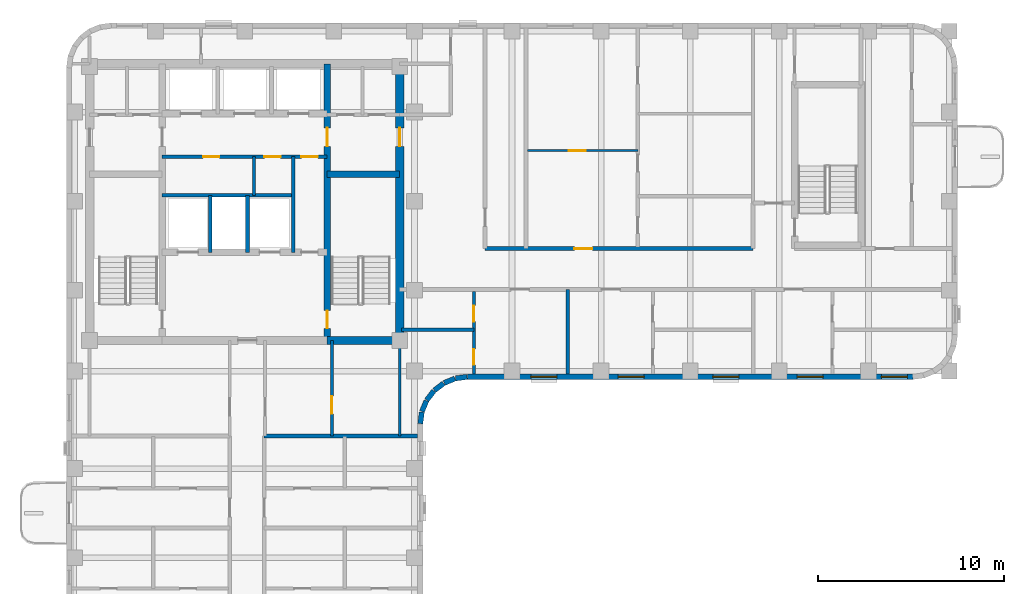
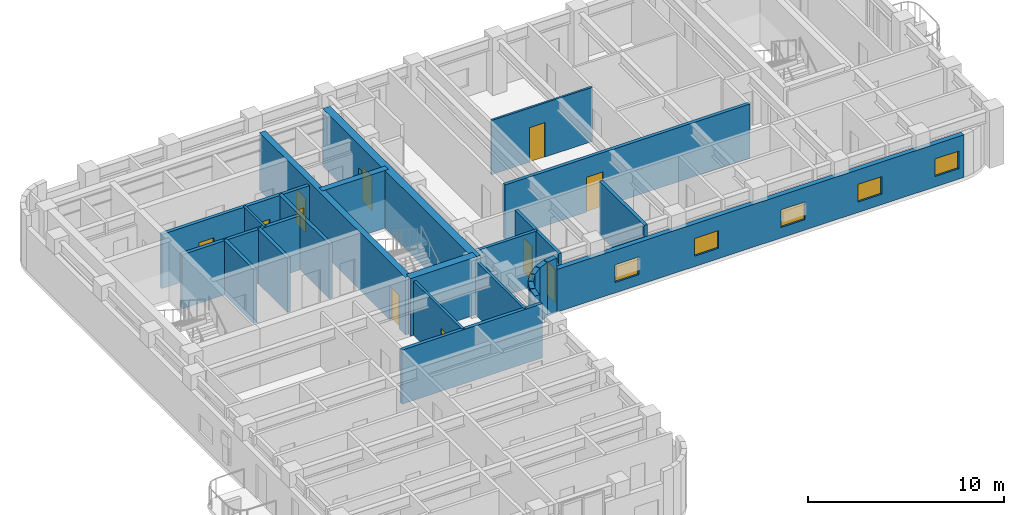
# One storey, part 6 of 12: 25 walls, 11 doors, 5 windows, 16 openings.
"""IFC4 building model written with IfcOpenShell, lengths in metres."""

from ifc_helpers import new_model, si_unit, direction, frame, frame_2d, origin, place, context, subcontext, project, spatial, rectangle, extrude, material, layer, layer_set, type_object, element, fill, save


model = new_model("IFC4")

# Units and contexts
model_context = context("Model", 3, precision=1e-05, world=origin(), true_north=direction((0.0, 1.0)))
body_context = subcontext(model_context, "Body", "Model", "MODEL_VIEW")
ifc_project = project(units=[si_unit("LENGTHUNIT", "METRE"), si_unit("AREAUNIT", "SQUARE_METRE"), si_unit("VOLUMEUNIT", "CUBIC_METRE"), si_unit("PLANEANGLEUNIT", "RADIAN"), si_unit("MASSUNIT", "GRAM", prefix="KILO")], contexts=[model_context])

# Site, building, storey
site_placement = place(None, origin())
site = spatial("IfcSite", under=ifc_project, at=site_placement, CompositionType="ELEMENT")
building_placement = place(site_placement, origin())
building = spatial("IfcBuilding", under=site, at=building_placement, Name="Orvandelia Arch Residences", CompositionType="ELEMENT")
storey_placement = place(building_placement, frame((0.0, 0.0, 214.60009765625)))
storey = spatial("IfcBuildingStorey", under=building, at=storey_placement, Name="L56", CompositionType="ELEMENT", Elevation=214.60009765625)

# Wall, openings, doors
ifc_material_1 = material(Name="Concrete C50/60", Category="concrete")
ifc_layer_1 = layer(ifc_material_1, 0.35009765625, Name="Concrete C50/60", Category="concrete")
ifc_layer_set_1 = layer_set([ifc_layer_1], Name="Concrete C50/60")
wall_type_1 = type_object("IfcWallType", Name="WL-CORE-350", PredefinedType="SHEAR", material=ifc_layer_set_1)
wall_1_placement = place(storey_placement, frame((18.840087890625, 30.89990234375, 0.0), z_axis=(0.0, 0.0, 1.0), x_axis=(0.0, 1.0, 0.0)))
wall_1 = element("IfcWall", 1, at=wall_1_placement, inside=storey, type_object=wall_type_1, Name="Core Shear Wall L56-WEB2", PredefinedType="SHEAR", context=body_context, shape_type="SweptSolid", body=[
    extrude(rectangle(XDim=14.900146484375, YDim=0.35009765625, at=frame_2d((7.4501953125, 0.0))), origin(), (0.0, 0.0, 1.0), 3.599853515625),
])
opening_1_placement = place(wall_1_placement, frame((0.64990234375, 0.0, 0.0)))
opening_1 = element("IfcOpeningElement", 2, at=opening_1_placement, cuts=wall_1, Name="Opening D7", PredefinedType="OPENING", context=body_context, shape_type="SweptSolid", body=[
    extrude(rectangle(XDim=0.949951171875, YDim=2.10009765625, at=frame_2d((0.47509765625, 1.050048828125))), frame((0.0, 0.18505859375, 0.0), z_axis=(0.0, -1.0, 0.0), x_axis=(1.0, 0.0, 0.0)), (0.0, 0.0, 1.0), 0.3701171875),
])
opening_2_placement = place(wall_1_placement, frame((10.449951171875, 0.0, 0.0)))
opening_2 = element("IfcOpeningElement", 3, at=opening_2_placement, cuts=wall_1, Name="Opening D6", PredefinedType="OPENING", context=body_context, shape_type="SweptSolid", body=[
    extrude(rectangle(XDim=1.0, YDim=2.14990234375, at=frame_2d((0.5, 1.074951171875))), frame((0.0, 0.18505859375, 0.0), z_axis=(0.0, -1.0, 0.0), x_axis=(1.0, 0.0, 0.0)), (0.0, 0.0, 1.0), 0.3701171875),
])
ifc_material_2 = material(Name="Smokeproof Painted Steel Fire Door", Category="steel")
door_type_1 = type_object("IfcDoorType", Name="DR-FD60-1000", OperationType="NOTDEFINED", PredefinedType="DOOR", material=ifc_material_2)
door_1_placement = place(opening_2_placement, origin())
door_1 = element("IfcDoor", 4, at=door_1_placement, inside=storey, type_object=door_type_1, Name="High-Rise Lift Hall East Vestibule Door L56", OperationType="SINGLE_SWING_RIGHT", OverallHeight=2.14990234375, OverallWidth=1.0, PredefinedType="DOOR", context=body_context, shape_type="SweptSolid", body=[
    extrude(rectangle(XDim=1.0, YDim=2.14990234375, at=frame_2d((0.5, 1.074951171875))), frame((0.0, 0.02490234375, 0.0), z_axis=(0.0, -1.0, 0.0), x_axis=(1.0, 0.0, 0.0)), (0.0, 0.0, 1.0), 0.050048828125),
])
fill(opening_2, door_1)
ifc_material_3 = material(Name="Pressurised Stairwell Fire Door")
door_type_2 = type_object("IfcDoorType", Name="DR-STAIR-950", OperationType="NOTDEFINED", PredefinedType="DOOR", material=ifc_material_3)
door_2_placement = place(opening_1_placement, origin())
door_2 = element("IfcDoor", 5, at=door_2_placement, inside=storey, type_object=door_type_2, Name="Stairwell ST-2 Fire Door L56", OperationType="SINGLE_SWING_RIGHT", OverallHeight=2.10009765625, OverallWidth=0.949951171875, PredefinedType="DOOR", context=body_context, shape_type="SweptSolid", body=[
    extrude(rectangle(XDim=0.949951171875, YDim=2.10009765625, at=frame_2d((0.47509765625, 1.050048828125))), frame((0.0, 0.02490234375, 0.0), z_axis=(0.0, -1.0, 0.0), x_axis=(1.0, 0.0, 0.0)), (0.0, 0.0, 1.0), 0.050048828125),
])
fill(opening_1, door_2)

# Wall
wall_2_placement = place(storey_placement, frame((18.840087890625, 39.85009765625, 0.0), z_axis=(0.0, 0.0, 1.0), x_axis=(1.0, 0.0, 0.0)))
element("IfcWall", 6, at=wall_2_placement, inside=storey, type_object=wall_type_1, Name="Core Shear Wall L56-HZ2", PredefinedType="SHEAR", context=body_context, shape_type="SweptSolid", body=[
    extrude(rectangle(XDim=3.909912109375, YDim=0.35009765625, at=frame_2d((1.955078125, 0.0))), origin(), (0.0, 0.0, 1.0), 3.599853515625),
])

# Wall, opening, door
ifc_layer_2 = layer(ifc_material_1, 0.449951171875, Name="Concrete C50/60", Category="concrete")
ifc_layer_set_2 = layer_set([ifc_layer_2], Name="Concrete C50/60")
wall_type_2 = type_object("IfcWallType", Name="WL-CORE-450", PredefinedType="SHEAR", material=ifc_layer_set_2)
wall_3_placement = place(storey_placement, frame((22.75, 30.675048828125, 0.0), z_axis=(0.0, 0.0, 1.0), x_axis=(0.0, 1.0, 0.0)))
wall_3 = element("IfcWall", 7, at=wall_3_placement, inside=storey, type_object=wall_type_2, Name="Core Shear Wall L56-E", PredefinedType="SHEAR", context=body_context, shape_type="SweptSolid", body=[
    extrude(rectangle(XDim=15.349853515625, YDim=0.449951171875, at=frame_2d((7.6748046875, 0.0))), origin(), (0.0, 0.0, 1.0), 3.599853515625),
])
opening_3_placement = place(wall_3_placement, frame((10.675048828125, 0.0, 0.0)))
opening_3 = element("IfcOpeningElement", 8, at=opening_3_placement, cuts=wall_3, Name="Opening D6", PredefinedType="OPENING", context=body_context, shape_type="SweptSolid", body=[
    extrude(rectangle(XDim=1.0, YDim=2.14990234375, at=frame_2d((0.5, 1.074951171875))), frame((0.0, 0.23486328125, 0.0), z_axis=(0.0, -1.0, 0.0), x_axis=(1.0, 0.0, 0.0)), (0.0, 0.0, 1.0), 0.469970703125),
])
door_3_placement = place(opening_3_placement, origin())
door_3 = element("IfcDoor", 9, at=door_3_placement, inside=storey, type_object=door_type_1, Name="Core East Corridor Link Door L56", OperationType="SINGLE_SWING_LEFT", OverallHeight=2.14990234375, OverallWidth=1.0, PredefinedType="DOOR", context=body_context, shape_type="SweptSolid", body=[
    extrude(rectangle(XDim=1.0, YDim=2.14990234375, at=frame_2d((0.5, 1.074951171875))), frame((0.0, 0.02490234375, 0.0), z_axis=(0.0, -1.0, 0.0), x_axis=(1.0, 0.0, 0.0)), (0.0, 0.0, 1.0), 0.050048828125),
])
fill(opening_3, door_3)

# Walls
wall_4_placement = place(storey_placement, frame((18.840087890625, 30.89990234375, 0.0), z_axis=(0.0, 0.0, 1.0), x_axis=(1.0, 0.0, 0.0)))
element("IfcWall", 10, at=wall_4_placement, inside=storey, type_object=wall_type_2, Name="Core Shear Wall L56-SE", PredefinedType="SHEAR", context=body_context, shape_type="SweptSolid", body=[
    extrude(rectangle(XDim=3.909912109375, YDim=0.449951171875, at=frame_2d((1.955078125, 0.0))), origin(), (0.0, 0.0, 1.0), 3.599853515625),
])
ifc_material_4 = material(Name="Fire-Rated Corridor Partition")
ifc_layer_3 = layer(ifc_material_4, 0.199951171875, Name="Fire-Rated Corridor Partition")
ifc_layer_set_3 = layer_set([ifc_layer_3], Name="Fire-Rated Corridor Partition")
wall_type_3 = type_object("IfcWallType", Name="WL-CORR-200", PredefinedType="PARTITIONING", material=ifc_layer_set_3)
wall_5_placement = place(storey_placement, frame((15.449951171875, 25.75, 0.0), z_axis=(0.0, 0.0, 1.0), x_axis=(1.0, 0.0, 0.0)))
element("IfcWall", 11, at=wall_5_placement, inside=storey, type_object=wall_type_3, Name="Interior Partition Wall WL-L56-WCLS-E", PredefinedType="PARTITIONING", context=body_context, shape_type="SweptSolid", body=[
    extrude(rectangle(XDim=8.27001953125, YDim=0.199951171875, at=frame_2d((4.135009765625, 0.0))), origin(), (0.0, 0.0, 1.0), 3.3798828125),
])

# Wall, opening, door
wall_6_placement = place(storey_placement, frame((27.35009765625, 35.85009765625, 0.0), z_axis=(0.0, 0.0, 1.0), x_axis=(1.0, 0.0, 0.0)))
wall_6 = element("IfcWall", 12, at=wall_6_placement, inside=storey, type_object=wall_type_3, Name="Interior Partition Wall WL-L56-ES-N1", PredefinedType="PARTITIONING", context=body_context, shape_type="SweptSolid", body=[
    extrude(rectangle(XDim=14.429931640625, YDim=0.199951171875, at=frame_2d((7.21484375, 0.0))), origin(), (0.0, 0.0, 1.0), 3.3798828125),
])
opening_4_placement = place(wall_6_placement, frame((4.803466796875, 0.0, 0.0)))
opening_4 = element("IfcOpeningElement", 13, at=opening_4_placement, cuts=wall_6, Name="Opening D1", PredefinedType="OPENING", context=body_context, shape_type="SweptSolid", body=[
    extrude(rectangle(XDim=0.97998046875, YDim=2.179931640625, at=frame_2d((0.489990234375, 1.08984375))), frame((0.0, 0.10986328125, 0.0), z_axis=(0.0, -1.0, 0.0), x_axis=(1.0, 0.0, 0.0)), (0.0, 0.0, 1.0), 0.219970703125),
])
ifc_material_5 = material(Name="Solid-Core Timber Acoustic Fire Door", Category="wood")
door_type_3 = type_object("IfcDoorType", Name="DR-ENT-980", OperationType="NOTDEFINED", PredefinedType="DOOR", material=ifc_material_5)
door_4_placement = place(opening_4_placement, origin())
door_4 = element("IfcDoor", 14, at=door_4_placement, inside=storey, type_object=door_type_3, Name="Unit L56-10 Entrance Door", OperationType="SINGLE_SWING_RIGHT", OverallHeight=2.179931640625, OverallWidth=0.97998046875, PredefinedType="DOOR", context=body_context, shape_type="SweptSolid", body=[
    extrude(rectangle(XDim=0.97998046875, YDim=2.179931640625, at=frame_2d((0.489990234375, 1.08984375))), frame((0.0, 0.02490234375, 0.0), z_axis=(0.0, -1.0, 0.0), x_axis=(1.0, 0.0, 0.0)), (0.0, 0.0, 1.0), 0.050048828125),
])
fill(opening_4, door_4)

# Wall
ifc_material_6 = material(Name="Concrete C40/50", Category="concrete")
ifc_layer_4 = layer(ifc_material_6, 0.199951171875, Name="Concrete C40/50", Category="concrete")
ifc_layer_set_4 = layer_set([ifc_layer_4], Name="Concrete C40/50")
wall_type_4 = type_object("IfcWallType", Name="WL-DEM-200", PredefinedType="SOLIDWALL", material=ifc_layer_set_4)
wall_7_placement = place(storey_placement, frame((31.800048828125, 29.080078125, 0.0), z_axis=(0.0, 0.0, 1.0), x_axis=(0.0, 1.0, 0.0)))
element("IfcWall", 15, at=wall_7_placement, inside=storey, type_object=wall_type_4, Name="Interior Partition Wall WL-L56-DEM-ESS-318", PredefinedType="SOLIDWALL", context=body_context, shape_type="SweptSolid", body=[
    extrude(rectangle(XDim=4.56982421875, YDim=0.199951171875, at=frame_2d((2.284912109375, 0.0))), origin(), (0.0, 0.0, 1.0), 3.3798828125),
])

# Wall, openings, windows
ifc_material_7 = material(Name="Precast concrete C40/50", Category="concrete")
ifc_layer_5 = layer(ifc_material_7, 0.280029296875, Name="Precast concrete C40/50", Category="concrete")
ifc_layer_set_5 = layer_set([ifc_layer_5], Name="Precast concrete C40/50")
wall_type_5 = type_object("IfcWallType", Name="WL-EXT-STONE-280", PredefinedType="STANDARD", material=ifc_layer_set_5)
wall_8_placement = place(storey_placement, frame((50.39990234375, 28.93994140625, 0.0), z_axis=(0.0, 0.0, 1.0), x_axis=(-1.0, 0.0, 0.0)))
wall_8 = element("IfcWall", 16, at=wall_8_placement, inside=storey, type_object=wall_type_5, Name="Coral-Limestone Precast Facade Wall L56-021", PredefinedType="STANDARD", context=body_context, shape_type="SweptSolid", body=[
    extrude(rectangle(XDim=24.0, YDim=0.280029296875, at=frame_2d((12.0, 0.0))), origin(), (0.0, 0.0, 1.0), 2.659912109375),
])
opening_5_placement = place(wall_8_placement, frame((19.177490234375, 0.0, 0.64990234375)))
opening_5 = element("IfcOpeningElement", 17, at=opening_5_placement, cuts=wall_8, Name="Opening W10", PredefinedType="OPENING", context=body_context, shape_type="SweptSolid", body=[
    extrude(rectangle(XDim=1.39990234375, YDim=1.10009765625, at=frame_2d((0.699951171875, 0.550048828125))), frame((0.0, 0.14990234375, 0.0), z_axis=(0.0, -1.0, 0.0), x_axis=(1.0, 0.0, 0.0)), (0.0, 0.0, 1.0), 0.300048828125),
])
opening_6_placement = place(wall_8_placement, frame((14.4814453125, 0.0, 0.64990234375)))
opening_6 = element("IfcOpeningElement", 18, at=opening_6_placement, cuts=wall_8, Name="Opening W10", PredefinedType="OPENING", context=body_context, shape_type="SweptSolid", body=[
    extrude(rectangle(XDim=1.39990234375, YDim=1.10009765625, at=frame_2d((0.699951171875, 0.550048828125))), frame((0.0, 0.14990234375, 0.0), z_axis=(0.0, -1.0, 0.0), x_axis=(1.0, 0.0, 0.0)), (0.0, 0.0, 1.0), 0.300048828125),
])
opening_7_placement = place(wall_8_placement, frame((4.847412109375, 0.0, 0.64990234375)))
opening_7 = element("IfcOpeningElement", 19, at=opening_7_placement, cuts=wall_8, Name="Opening W10", PredefinedType="OPENING", context=body_context, shape_type="SweptSolid", body=[
    extrude(rectangle(XDim=1.39990234375, YDim=1.10009765625, at=frame_2d((0.699951171875, 0.550048828125))), frame((0.0, 0.14990234375, 0.0), z_axis=(0.0, -1.0, 0.0), x_axis=(1.0, 0.0, 0.0)), (0.0, 0.0, 1.0), 0.300048828125),
])
opening_8_placement = place(wall_8_placement, frame((9.37744140625, 0.0, 0.64990234375)))
opening_8 = element("IfcOpeningElement", 20, at=opening_8_placement, cuts=wall_8, Name="Opening W10", PredefinedType="OPENING", context=body_context, shape_type="SweptSolid", body=[
    extrude(rectangle(XDim=1.39990234375, YDim=1.10009765625, at=frame_2d((0.699951171875, 0.550048828125))), frame((0.0, 0.14990234375, 0.0), z_axis=(0.0, -1.0, 0.0), x_axis=(1.0, 0.0, 0.0)), (0.0, 0.0, 1.0), 0.300048828125),
])
opening_9_placement = place(wall_8_placement, frame((0.3076171875, 0.0, 0.64990234375)))
opening_9 = element("IfcOpeningElement", 21, at=opening_9_placement, cuts=wall_8, Name="Opening W10", PredefinedType="OPENING", context=body_context, shape_type="SweptSolid", body=[
    extrude(rectangle(XDim=1.39990234375, YDim=1.10009765625, at=frame_2d((0.699951171875, 0.550048828125))), frame((0.0, 0.14990234375, 0.0), z_axis=(0.0, -1.0, 0.0), x_axis=(1.0, 0.0, 0.0)), (0.0, 0.0, 1.0), 0.300048828125),
])
ifc_material_8 = material(Name="Tempered Low-E Insulated Glazing", Category="glass")
window_type = type_object("IfcWindowType", Name="WIN-CLR-1400x1100", PartitioningType="SINGLE_PANEL", PredefinedType="WINDOW", material=ifc_material_8)
window_1_placement = place(opening_5_placement, origin())
window_1 = element("IfcWindow", 22, at=window_1_placement, inside=storey, type_object=window_type, Name="Recessed Punched Window L56-012", OverallHeight=1.10009765625, OverallWidth=1.39990234375, PartitioningType="SINGLE_PANEL", PredefinedType="WINDOW", context=body_context, shape_type="SweptSolid", body=[
    extrude(rectangle(XDim=1.39990234375, YDim=1.10009765625, at=frame_2d((0.699951171875, 0.550048828125))), frame((0.0, 0.030029296875, 0.0), z_axis=(0.0, -1.0, 0.0), x_axis=(1.0, 0.0, 0.0)), (0.0, 0.0, 1.0), 0.06005859375),
])
fill(opening_5, window_1)
window_2_placement = place(opening_6_placement, origin())
window_2 = element("IfcWindow", 23, at=window_2_placement, inside=storey, type_object=window_type, Name="Recessed Punched Window L56-013", OverallHeight=1.10009765625, OverallWidth=1.39990234375, PartitioningType="SINGLE_PANEL", PredefinedType="WINDOW", context=body_context, shape_type="SweptSolid", body=[
    extrude(rectangle(XDim=1.39990234375, YDim=1.10009765625, at=frame_2d((0.699951171875, 0.550048828125))), frame((0.0, 0.030029296875, 0.0), z_axis=(0.0, -1.0, 0.0), x_axis=(1.0, 0.0, 0.0)), (0.0, 0.0, 1.0), 0.06005859375),
])
fill(opening_6, window_2)
window_3_placement = place(opening_7_placement, origin())
window_3 = element("IfcWindow", 24, at=window_3_placement, inside=storey, type_object=window_type, Name="Recessed Punched Window L56-014", OverallHeight=1.10009765625, OverallWidth=1.39990234375, PartitioningType="SINGLE_PANEL", PredefinedType="WINDOW", context=body_context, shape_type="SweptSolid", body=[
    extrude(rectangle(XDim=1.39990234375, YDim=1.10009765625, at=frame_2d((0.699951171875, 0.550048828125))), frame((0.0, 0.030029296875, 0.0), z_axis=(0.0, -1.0, 0.0), x_axis=(1.0, 0.0, 0.0)), (0.0, 0.0, 1.0), 0.06005859375),
])
fill(opening_7, window_3)
window_4_placement = place(opening_8_placement, origin())
window_4 = element("IfcWindow", 25, at=window_4_placement, inside=storey, type_object=window_type, Name="Recessed Punched Window L56-015", OverallHeight=1.10009765625, OverallWidth=1.39990234375, PartitioningType="SINGLE_PANEL", PredefinedType="WINDOW", context=body_context, shape_type="SweptSolid", body=[
    extrude(rectangle(XDim=1.39990234375, YDim=1.10009765625, at=frame_2d((0.699951171875, 0.550048828125))), frame((0.0, 0.030029296875, 0.0), z_axis=(0.0, -1.0, 0.0), x_axis=(1.0, 0.0, 0.0)), (0.0, 0.0, 1.0), 0.06005859375),
])
fill(opening_8, window_4)
window_5_placement = place(opening_9_placement, origin())
window_5 = element("IfcWindow", 26, at=window_5_placement, inside=storey, type_object=window_type, Name="Recessed Punched Window L56-016", OverallHeight=1.10009765625, OverallWidth=1.39990234375, PartitioningType="SINGLE_PANEL", PredefinedType="WINDOW", context=body_context, shape_type="SweptSolid", body=[
    extrude(rectangle(XDim=1.39990234375, YDim=1.10009765625, at=frame_2d((0.699951171875, 0.550048828125))), frame((0.0, 0.030029296875, 0.0), z_axis=(0.0, -1.0, 0.0), x_axis=(1.0, 0.0, 0.0)), (0.0, 0.0, 1.0), 0.06005859375),
])
fill(opening_9, window_5)

# Walls
wall_9_placement = place(storey_placement, frame((26.381591796875, 28.938720703125, 0.0), z_axis=(0.0, 0.0, 1.0), x_axis=(-0.9914410257, -0.130555323746, 0.0)))
element("IfcWall", 27, at=wall_9_placement, inside=storey, type_object=wall_type_5, Name="Coral-Limestone Precast Facade Wall L56-022", PredefinedType="STANDARD", context=body_context, shape_type="SweptSolid", body=[
    extrude(rectangle(XDim=0.62646484375, YDim=0.280029296875, at=frame_2d((0.313232421875, 0.0))), origin(), (0.0, 0.0, 1.0), 3.3798828125),
])
wall_10_placement = place(storey_placement, frame((25.72509765625, 28.847412109375, 0.0), z_axis=(0.0, 0.0, 1.0), x_axis=(-0.923974080304, -0.382455093999, 0.0)))
element("IfcWall", 28, at=wall_10_placement, inside=storey, type_object=wall_type_5, Name="Coral-Limestone Precast Facade Wall L56-023", PredefinedType="STANDARD", context=body_context, shape_type="SweptSolid", body=[
    extrude(rectangle(XDim=0.626220703125, YDim=0.280029296875, at=frame_2d((0.31298828125, 0.0))), origin(), (0.0, 0.0, 1.0), 3.3798828125),
])
for number, where, z_axis, x_axis, name in (
    (29, (25.11474609375, 28.589599609375, 0.0), (0.0, 0.0, 1.0), (-0.793405610854, -0.608693302629, 0.0), "Coral-Limestone Precast Facade Wall L56-024"),
    (30, (24.591796875, 28.182373046875, 0.0), (0.0, 0.0, 1.0), (-0.608693302629, -0.793405610854, 0.0), "Coral-Limestone Precast Facade Wall L56-025"),
    (31, (24.192138671875, 27.653564453125, 0.0), (0.0, 0.0, 1.0), (-0.382650053678, -0.92389335771, 0.0), "Coral-Limestone Precast Facade Wall L56-026"),
):
    element("IfcWall", number, at=place(storey_placement, frame(where, z_axis=z_axis, x_axis=x_axis)), inside=storey, type_object=wall_type_5, Name=name, PredefinedType="STANDARD", context=body_context, shape_type="SweptSolid", body=[
        extrude(rectangle(XDim=0.62646484375, YDim=0.280029296875, at=frame_2d((0.313232421875, 0.0))), origin(), (0.0, 0.0, 1.0), 3.3798828125),
    ])
wall_11_placement = place(storey_placement, frame((23.943115234375, 27.03955078125, 0.0), z_axis=(0.0, 0.0, 1.0), x_axis=(-0.130887801573, -0.991397187508, 0.0)))
element("IfcWall", 32, at=wall_11_placement, inside=storey, type_object=wall_type_5, Name="Coral-Limestone Precast Facade Wall L56-027", PredefinedType="STANDARD", context=body_context, shape_type="SweptSolid", body=[
    extrude(rectangle(XDim=0.626708984375, YDim=0.280029296875, at=frame_2d((0.3134765625, 0.0))), origin(), (0.0, 0.0, 1.0), 3.3798828125),
])

# Wall, opening, door
ifc_material_9 = material(Name="Lightweight Gypsum Stud Partition")
ifc_layer_6 = layer(ifc_material_9, 0.1201171875, Name="Lightweight Gypsum Stud Partition")
ifc_layer_set_6 = layer_set([ifc_layer_6], Name="Lightweight Gypsum Stud Partition")
wall_type_6 = type_object("IfcWallType", Name="WL-PART-120", PredefinedType="PARTITIONING", material=ifc_layer_set_6)
wall_12_placement = place(storey_placement, frame((29.6298828125, 41.1259765625, 0.0), z_axis=(0.0, 0.0, 1.0), x_axis=(1.0, 0.0, 0.0)))
wall_12 = element("IfcWall", 33, at=wall_12_placement, inside=storey, type_object=wall_type_6, Name="Interior Partition Wall WL-L56-U10-DIN", PredefinedType="PARTITIONING", context=body_context, shape_type="SweptSolid", body=[
    extrude(rectangle(XDim=5.947021484375, YDim=0.1201171875, at=frame_2d((2.9736328125, 0.0))), origin(), (0.0, 0.0, 1.0), 3.3798828125),
])
opening_10_placement = place(wall_12_placement, frame((2.235107421875, 0.0, 0.0)))
opening_10 = element("IfcOpeningElement", 34, at=opening_10_placement, cuts=wall_12, Name="Opening D3", PredefinedType="OPENING", context=body_context, shape_type="SweptSolid", body=[
    extrude(rectangle(XDim=0.89990234375, YDim=2.14990234375, at=frame_2d((0.449951171875, 1.074951171875))), frame((0.0, 0.070068359375, 0.0), z_axis=(0.0, -1.0, 0.0), x_axis=(1.0, 0.0, 0.0)), (0.0, 0.0, 1.0), 0.14013671875),
])
ifc_material_10 = material(Name="Engineered Timber Flush Door", Category="wood")
door_type_4 = type_object("IfcDoorType", Name="DR-INT-900", OperationType="NOTDEFINED", PredefinedType="DOOR", material=ifc_material_10)
door_5_placement = place(opening_10_placement, origin())
door_5 = element("IfcDoor", 35, at=door_5_placement, inside=storey, type_object=door_type_4, Name="DR-L56-U10-DIN", OperationType="SINGLE_SWING_LEFT", OverallHeight=2.14990234375, OverallWidth=0.89990234375, PredefinedType="DOOR", context=body_context, shape_type="SweptSolid", body=[
    extrude(rectangle(XDim=0.89990234375, YDim=2.14990234375, at=frame_2d((0.449951171875, 1.074951171875))), frame((0.0, 0.02490234375, 0.0), z_axis=(0.0, -1.0, 0.0), x_axis=(1.0, 0.0, 0.0)), (0.0, 0.0, 1.0), 0.050048828125),
])
fill(opening_10, door_5)

# Walls
ifc_material_11 = material(Name="Acoustic Gypsum Stud Partition")
ifc_layer_7 = layer(ifc_material_11, 0.14990234375, Name="Acoustic Gypsum Stud Partition")
ifc_layer_set_7 = layer_set([ifc_layer_7], Name="Acoustic Gypsum Stud Partition")
wall_type_7 = type_object("IfcWallType", Name="WL-PART-150", PredefinedType="PARTITIONING", material=ifc_layer_set_7)
wall_13_placement = place(storey_placement, frame((14.89990234375, 38.719970703125, 0.0), z_axis=(0.0, 0.0, 1.0), x_axis=(0.0, 1.0, 0.0)))
element("IfcWall", 36, at=wall_13_placement, inside=storey, type_object=wall_type_7, Name="Interior Partition Wall WL-L56-CSA-1", PredefinedType="PARTITIONING", context=body_context, shape_type="SweptSolid", body=[
    extrude(rectangle(XDim=2.080078125, YDim=0.14990234375, at=frame_2d((1.0400390625, 0.0))), origin(), (0.0, 0.0, 1.0), 3.3798828125),
])
wall_14_placement = place(storey_placement, frame((22.75, 25.75, 0.0), z_axis=(0.0, 0.0, 1.0), x_axis=(0.0, 1.0, 0.0)))
element("IfcWall", 37, at=wall_14_placement, inside=storey, type_object=wall_type_7, Name="Interior Partition Wall WL-L56-HI-WE", PredefinedType="PARTITIONING", context=body_context, shape_type="SweptSolid", body=[
    extrude(rectangle(XDim=5.14990234375, YDim=0.14990234375, at=frame_2d((2.574951171875, 0.0))), origin(), (0.0, 0.0, 1.0), 3.3798828125),
])

# Wall, opening, door
wall_15_placement = place(storey_placement, frame((19.10009765625, 25.75, 0.0), z_axis=(0.0, 0.0, 1.0), x_axis=(0.0, 1.0, 0.0)))
wall_15 = element("IfcWall", 38, at=wall_15_placement, inside=storey, type_object=wall_type_7, Name="Interior Partition Wall WL-L56-HIR-M2", PredefinedType="PARTITIONING", context=body_context, shape_type="SweptSolid", body=[
    extrude(rectangle(XDim=5.14990234375, YDim=0.14990234375, at=frame_2d((2.574951171875, 0.0))), origin(), (0.0, 0.0, 1.0), 3.3798828125),
])
opening_11_placement = place(wall_15_placement, frame((1.199951171875, 0.0, 0.0)))
opening_11 = element("IfcOpeningElement", 39, at=opening_11_placement, cuts=wall_15, Name="Opening D2", PredefinedType="OPENING", context=body_context, shape_type="SweptSolid", body=[
    extrude(rectangle(XDim=0.949951171875, YDim=2.14990234375, at=frame_2d((0.47509765625, 1.074951171875))), frame((0.0, 0.0849609375, 0.0), z_axis=(0.0, -1.0, 0.0), x_axis=(1.0, 0.0, 0.0)), (0.0, 0.0, 1.0), 0.169921875),
])
ifc_material_12 = material(Name="Solid-Core Timber Interior Fire Door", Category="wood")
door_type_5 = type_object("IfcDoorType", Name="DR-APT-950", OperationType="NOTDEFINED", PredefinedType="DOOR", material=ifc_material_12)
door_6_placement = place(opening_11_placement, origin())
door_6 = element("IfcDoor", 40, at=door_6_placement, inside=storey, type_object=door_type_5, Name="DR-L56-HIR2B", OperationType="SINGLE_SWING_LEFT", OverallHeight=2.14990234375, OverallWidth=0.949951171875, PredefinedType="DOOR", context=body_context, shape_type="SweptSolid", body=[
    extrude(rectangle(XDim=0.949951171875, YDim=2.14990234375, at=frame_2d((0.47509765625, 1.074951171875))), frame((0.0, 0.02490234375, 0.0), z_axis=(0.0, -1.0, 0.0), x_axis=(1.0, 0.0, 0.0)), (0.0, 0.0, 1.0), 0.050048828125),
])
fill(opening_11, door_6)

# Walls
ifc_material_13 = material(Name="Fire-Rated Shaft Enclosure Wall")
ifc_layer_8 = layer(ifc_material_13, 0.199951171875, Name="Fire-Rated Shaft Enclosure Wall")
ifc_layer_set_8 = layer_set([ifc_layer_8], Name="Fire-Rated Shaft Enclosure Wall")
wall_type_8 = type_object("IfcWallType", Name="WL-SHAFT-200", PredefinedType="POLYGONAL", material=ifc_layer_set_8)
wall_16_placement = place(storey_placement, frame((9.9599609375, 38.719970703125, 0.0), z_axis=(0.0, 0.0, 1.0), x_axis=(1.0, 0.0, 0.0)))
element("IfcWall", 41, at=wall_16_placement, inside=storey, type_object=wall_type_8, Name="Interior Partition Wall WL-L56-FLN", PredefinedType="POLYGONAL", context=body_context, shape_type="SweptSolid", body=[
    extrude(rectangle(XDim=7.06005859375, YDim=0.199951171875, at=frame_2d((3.530029296875, 0.0))), origin(), (0.0, 0.0, 1.0), 3.3798828125),
])
for number, where, z_axis, x_axis, name in (
    (42, (12.550048828125, 35.64990234375, 0.0), (0.0, 0.0, 1.0), (0.0, 1.0, 0.0), "Interior Partition Wall WL-L56-FLM1"),
    (43, (14.550048828125, 35.64990234375, 0.0), (0.0, 0.0, 1.0), (0.0, 1.0, 0.0), "Interior Partition Wall WL-L56-FLM2"),
):
    element("IfcWall", number, at=place(storey_placement, frame(where, z_axis=z_axis, x_axis=x_axis)), inside=storey, type_object=wall_type_8, Name=name, PredefinedType="POLYGONAL", context=body_context, shape_type="SweptSolid", body=[
        extrude(rectangle(XDim=3.070068359375, YDim=0.199951171875, at=frame_2d((1.53515625, 0.0))), origin(), (0.0, 0.0, 1.0), 3.3798828125),
    ])
wall_17_placement = place(storey_placement, frame((17.02001953125, 35.64990234375, 0.0), z_axis=(0.0, 0.0, 1.0), x_axis=(0.0, 1.0, 0.0)))
element("IfcWall", 44, at=wall_17_placement, inside=storey, type_object=wall_type_8, Name="Interior Partition Wall WL-L56-FLM3", PredefinedType="POLYGONAL", context=body_context, shape_type="SweptSolid", body=[
    extrude(rectangle(XDim=5.150146484375, YDim=0.199951171875, at=frame_2d((2.5751953125, 0.0))), origin(), (0.0, 0.0, 1.0), 3.3798828125),
])

# Wall, openings, doors
wall_18_placement = place(storey_placement, frame((9.9599609375, 40.800048828125, 0.0), z_axis=(0.0, 0.0, 1.0), x_axis=(1.0, 0.0, 0.0)))
wall_18 = element("IfcWall", 45, at=wall_18_placement, inside=storey, type_object=wall_type_8, Name="Interior Partition Wall WL-L56-HLH-S", PredefinedType="POLYGONAL", context=body_context, shape_type="SweptSolid", body=[
    extrude(rectangle(XDim=8.880126953125, YDim=0.199951171875, at=frame_2d((4.43994140625, 0.0))), origin(), (0.0, 0.0, 1.0), 3.3798828125),
])
opening_12_placement = place(wall_18_placement, frame((7.5, 0.0, 0.0)))
opening_12 = element("IfcOpeningElement", 46, at=opening_12_placement, cuts=wall_18, Name="Opening D5", PredefinedType="OPENING", context=body_context, shape_type="SweptSolid", body=[
    extrude(rectangle(XDim=0.8798828125, YDim=2.10009765625, at=frame_2d((0.43994140625, 1.050048828125))), frame((0.0, 0.10986328125, 0.0), z_axis=(0.0, -1.0, 0.0), x_axis=(1.0, 0.0, 0.0)), (0.0, 0.0, 1.0), 0.219970703125),
])
opening_13_placement = place(wall_18_placement, frame((2.199951171875, 0.0, 0.0)))
opening_13 = element("IfcOpeningElement", 47, at=opening_13_placement, cuts=wall_18, Name="Opening D5", PredefinedType="OPENING", context=body_context, shape_type="SweptSolid", body=[
    extrude(rectangle(XDim=0.8798828125, YDim=2.10009765625, at=frame_2d((0.43994140625, 1.050048828125))), frame((0.0, 0.10986328125, 0.0), z_axis=(0.0, -1.0, 0.0), x_axis=(1.0, 0.0, 0.0)), (0.0, 0.0, 1.0), 0.219970703125),
])
opening_14_placement = place(wall_18_placement, frame((5.5, 0.0, 0.0)))
opening_14 = element("IfcOpeningElement", 48, at=opening_14_placement, cuts=wall_18, Name="Opening D5", PredefinedType="OPENING", context=body_context, shape_type="SweptSolid", body=[
    extrude(rectangle(XDim=0.8798828125, YDim=2.10009765625, at=frame_2d((0.43994140625, 1.050048828125))), frame((0.0, 0.10986328125, 0.0), z_axis=(0.0, -1.0, 0.0), x_axis=(1.0, 0.0, 0.0)), (0.0, 0.0, 1.0), 0.219970703125),
])
ifc_material_14 = material(Name="Painted Galvanised Steel Service Door", Category="steel")
door_type_6 = type_object("IfcDoorType", Name="DR-SRV-880", OperationType="NOTDEFINED", PredefinedType="DOOR", material=ifc_material_14)
door_7_placement = place(opening_12_placement, origin())
door_7 = element("IfcDoor", 49, at=door_7_placement, inside=storey, type_object=door_type_6, Name="Core Stairway Passage North Fire Door L56", OperationType="SINGLE_SWING_RIGHT", OverallHeight=2.10009765625, OverallWidth=0.8798828125, PredefinedType="DOOR", context=body_context, shape_type="SweptSolid", body=[
    extrude(rectangle(XDim=0.8798828125, YDim=2.10009765625, at=frame_2d((0.43994140625, 1.050048828125))), frame((0.0, 0.02490234375, 0.0), z_axis=(0.0, -1.0, 0.0), x_axis=(1.0, 0.0, 0.0)), (0.0, 0.0, 1.0), 0.050048828125),
])
fill(opening_12, door_7)
door_8_placement = place(opening_13_placement, origin())
door_8 = element("IfcDoor", 50, at=door_8_placement, inside=storey, type_object=door_type_6, Name="DR-L56-CSA1", OperationType="SINGLE_SWING_RIGHT", OverallHeight=2.10009765625, OverallWidth=0.8798828125, PredefinedType="DOOR", context=body_context, shape_type="SweptSolid", body=[
    extrude(rectangle(XDim=0.8798828125, YDim=2.10009765625, at=frame_2d((0.43994140625, 1.050048828125))), frame((0.0, 0.02490234375, 0.0), z_axis=(0.0, -1.0, 0.0), x_axis=(1.0, 0.0, 0.0)), (0.0, 0.0, 1.0), 0.050048828125),
])
fill(opening_13, door_8)
door_9_placement = place(opening_14_placement, origin())
door_9 = element("IfcDoor", 51, at=door_9_placement, inside=storey, type_object=door_type_6, Name="DR-L56-CSA2", OperationType="SINGLE_SWING_LEFT", OverallHeight=2.10009765625, OverallWidth=0.8798828125, PredefinedType="DOOR", context=body_context, shape_type="SweptSolid", body=[
    extrude(rectangle(XDim=0.8798828125, YDim=2.10009765625, at=frame_2d((0.43994140625, 1.050048828125))), frame((0.0, 0.02490234375, 0.0), z_axis=(0.0, -1.0, 0.0), x_axis=(1.0, 0.0, 0.0)), (0.0, 0.0, 1.0), 0.050048828125),
])
fill(opening_14, door_9)

ifc_material_15 = material(Name="Moisture-Resistant Plumbing Wall")
ifc_layer_9 = layer(ifc_material_15, 0.179931640625, Name="Moisture-Resistant Plumbing Wall")
ifc_layer_set_9 = layer_set([ifc_layer_9], Name="Moisture-Resistant Plumbing Wall")
wall_type_9 = type_object("IfcWallType", Name="WL-WET-180", PredefinedType="PLUMBINGWALL", material=ifc_layer_set_9)
wall_19_placement = place(storey_placement, frame((26.75, 29.080078125, 0.0), z_axis=(0.0, 0.0, 1.0), x_axis=(0.0, 1.0, 0.0)))
wall_19 = element("IfcWall", 52, at=wall_19_placement, inside=storey, type_object=wall_type_9, Name="Interior Partition Wall WL-L56-U07-VT", PredefinedType="PLUMBINGWALL", context=body_context, shape_type="SweptSolid", body=[
    extrude(rectangle(XDim=4.469970703125, YDim=0.179931640625, at=frame_2d((2.23486328125, 0.0))), origin(), (0.0, 0.0, 1.0), 3.3798828125),
])
opening_15_placement = place(wall_19_placement, frame((0.498779296875, 0.0, 0.0)))
opening_15 = element("IfcOpeningElement", 53, at=opening_15_placement, cuts=wall_19, Name="Opening D4", PredefinedType="OPENING", context=body_context, shape_type="SweptSolid", body=[
    extrude(rectangle(XDim=0.860107421875, YDim=2.10009765625, at=frame_2d((0.43017578125, 1.050048828125))), frame((0.0, 0.10009765625, 0.0), z_axis=(0.0, -1.0, 0.0), x_axis=(1.0, 0.0, 0.0)), (0.0, 0.0, 1.0), 0.199951171875),
])
opening_16_placement = place(wall_19_placement, frame((2.839111328125, 0.0, 0.0)))
opening_16 = element("IfcOpeningElement", 54, at=opening_16_placement, cuts=wall_19, Name="Opening D4", PredefinedType="OPENING", context=body_context, shape_type="SweptSolid", body=[
    extrude(rectangle(XDim=0.860107421875, YDim=2.10009765625, at=frame_2d((0.43017578125, 1.050048828125))), frame((0.0, 0.10009765625, 0.0), z_axis=(0.0, -1.0, 0.0), x_axis=(1.0, 0.0, 0.0)), (0.0, 0.0, 1.0), 0.199951171875),
])
ifc_material_16 = material(Name="Moisture-Sealed Timber Bathroom Door", Category="wood")
door_type_7 = type_object("IfcDoorType", Name="DR-WET-900", OperationType="NOTDEFINED", PredefinedType="DOOR", material=ifc_material_16)
door_10_placement = place(opening_15_placement, origin())
door_10 = element("IfcDoor", 55, at=door_10_placement, inside=storey, type_object=door_type_7, Name="DR-L56-U07-KIT", OperationType="SINGLE_SWING_LEFT", OverallHeight=2.10009765625, OverallWidth=0.860107421875, PredefinedType="DOOR", context=body_context, shape_type="SweptSolid", body=[
    extrude(rectangle(XDim=0.860107421875, YDim=2.10009765625, at=frame_2d((0.43017578125, 1.050048828125))), frame((0.0, 0.02490234375, 0.0), z_axis=(0.0, -1.0, 0.0), x_axis=(1.0, 0.0, 0.0)), (0.0, 0.0, 1.0), 0.050048828125),
])
fill(opening_15, door_10)
door_11_placement = place(opening_16_placement, origin())
door_11 = element("IfcDoor", 56, at=door_11_placement, inside=storey, type_object=door_type_7, Name="DR-L56-U07-BTH", OperationType="SINGLE_SWING_RIGHT", OverallHeight=2.10009765625, OverallWidth=0.860107421875, PredefinedType="DOOR", context=body_context, shape_type="SweptSolid", body=[
    extrude(rectangle(XDim=0.860107421875, YDim=2.10009765625, at=frame_2d((0.43017578125, 1.050048828125))), frame((0.0, 0.02490234375, 0.0), z_axis=(0.0, -1.0, 0.0), x_axis=(1.0, 0.0, 0.0)), (0.0, 0.0, 1.0), 0.050048828125),
])
fill(opening_16, door_11)

# Wall
wall_20_placement = place(storey_placement, frame((22.85009765625, 31.485107421875, 0.0), z_axis=(0.0, 0.0, 1.0), x_axis=(1.0, 0.0, 0.0)))
element("IfcWall", 57, at=wall_20_placement, inside=storey, type_object=wall_type_9, Name="Interior Partition Wall WL-L56-U07-H1", PredefinedType="PLUMBINGWALL", context=body_context, shape_type="SweptSolid", body=[
    extrude(rectangle(XDim=3.89990234375, YDim=0.179931640625, at=frame_2d((1.949951171875, 0.0))), origin(), (0.0, 0.0, 1.0), 3.3798828125),
])

save(model, "model.ifc")
